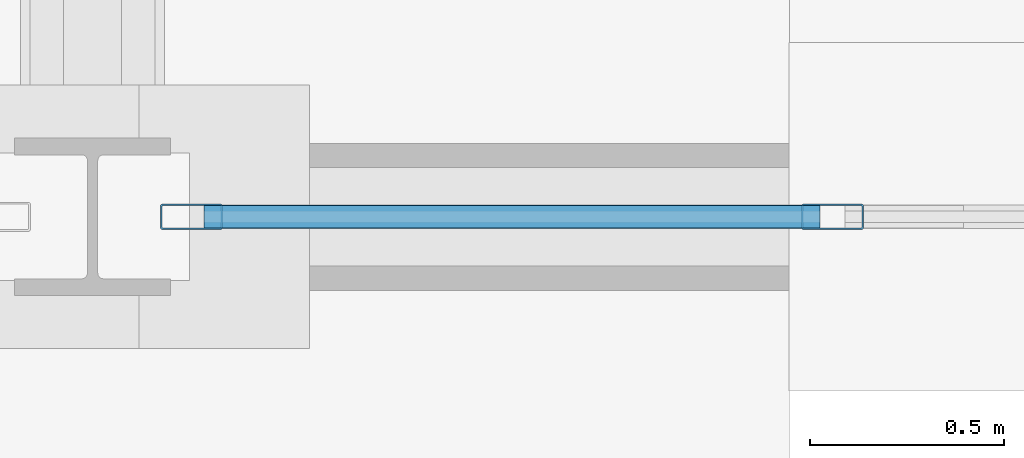
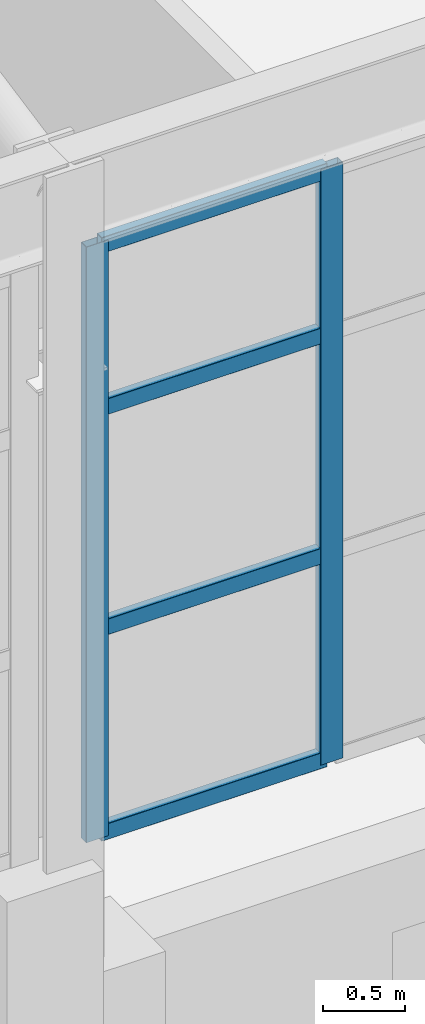
# One storey, part 173 of 293: 6 members, 1 element without a shape of its own.
"""IFC4 building model written with IfcOpenShell, lengths in metres."""

from ifc_helpers import new_model, si_unit, direction, frame, origin, origin_2d, place, context, subcontext, project, spatial, hollow_rectangle, extrude, material, layer, layer_set, material_profile, profile_set, type_object, element, aggregate, save


model = new_model("IFC4")

# Units and contexts
model_context = context("Model", 3, precision=1e-05, world=origin(), true_north=direction((0.0, 1.0)))
body_context = subcontext(model_context, "Body", "Model", "MODEL_VIEW")
ifc_project = project(units=[si_unit("LENGTHUNIT", "METRE"), si_unit("AREAUNIT", "SQUARE_METRE"), si_unit("VOLUMEUNIT", "CUBIC_METRE"), si_unit("PLANEANGLEUNIT", "RADIAN"), si_unit("MASSUNIT", "GRAM", prefix="KILO")], contexts=[model_context])

# Site, building, storey
site_placement = place(None, origin())
site = spatial("IfcSite", under=ifc_project, at=site_placement, CompositionType="ELEMENT")
building_placement = place(site_placement, origin())
building = spatial("IfcBuilding", under=site, at=building_placement, Name="Kemerveld Promenade Tramway Depot", CompositionType="ELEMENT")
storey_placement = place(building_placement, origin())
storey = spatial("IfcBuildingStorey", under=building, at=storey_placement, Name="L00", CompositionType="ELEMENT", Elevation=0.0)

# Curtain wall, members
ifc_material_1 = material(Name="Bronze anodised aluminium and solar glass", Category="aluminium")
ifc_layer = layer(ifc_material_1, 0.159912109375)
ifc_layer_set = layer_set([ifc_layer], Name="CW-SYS-09")
curtain_wall_type = type_object("IfcCurtainWallType", Name="CW-SYS-09", PredefinedType="USERDEFINED", material=ifc_layer_set)
curtain_wall_placement = place(storey_placement, origin())
curtain_wall = element("IfcCurtainWall", 1, at=curtain_wall_placement, inside=storey, type_object=curtain_wall_type, Name="CW-V1-S-20", ObjectType="GLAZED_CURTAIN_WALL", PredefinedType="USERDEFINED")
ifc_material_2 = material(Name="Bronze anodised aluminium", Category="aluminium")
ifc_material_profile_1 = material_profile(ifc_material_2, hollow_rectangle(XDim=0.06494140625, YDim=0.159912109375, WallThickness=0.00390625, InnerFilletRadius=0.001953125, OuterFilletRadius=0.00390625, at=origin_2d()), Name="CW-MUL-160x65")
ifc_profile_set_1 = profile_set([ifc_material_profile_1], Name="Bronze anodised aluminium")
member_type_1 = type_object("IfcMemberType", Name="CW-MUL-A", PredefinedType="MULLION", material=ifc_profile_set_1)
member_1_placement = place(storey_placement, frame((174.711669921875, 84.0, 6.199951171875), z_axis=(0.0, 0.0, 1.0), x_axis=(0.0, -1.0, 0.0)))
member_1 = element("IfcMember", 2, at=member_1_placement, type_object=member_type_1, Name="CW09 mullion 4", PredefinedType="MULLION", context=body_context, shape_type="SweptSolid", body=[
    extrude(hollow_rectangle(XDim=0.06494140625, YDim=0.159912109375, WallThickness=0.00390625, InnerFilletRadius=0.001953125, OuterFilletRadius=0.00390625, at=origin_2d()), origin(), (0.0, 0.0, 1.0), 4.449951171875),
])
member_2_placement = place(storey_placement, frame((173.0556640625, 84.0, 6.199951171875), z_axis=(0.0, 0.0, 1.0), x_axis=(0.0, -1.0, 0.0)))
member_2 = element("IfcMember", 3, at=member_2_placement, type_object=member_type_1, Name="CW09 mullion 5", PredefinedType="MULLION", context=body_context, shape_type="SweptSolid", body=[
    extrude(hollow_rectangle(XDim=0.06494140625, YDim=0.159912109375, WallThickness=0.00390625, InnerFilletRadius=0.001953125, OuterFilletRadius=0.00390625, at=origin_2d()), origin(), (0.0, 0.0, 1.0), 4.449951171875),
])
ifc_material_profile_2 = material_profile(ifc_material_2, hollow_rectangle(XDim=0.06005859375, YDim=0.1201171875, WallThickness=0.00390625, InnerFilletRadius=0.001953125, OuterFilletRadius=0.00390625, at=origin_2d()), Name="CW-TRN-120x60")
ifc_profile_set_2 = profile_set([ifc_material_profile_2], Name="Bronze anodised aluminium")
member_type_2 = type_object("IfcMemberType", Name="CW-TRN-A", PredefinedType="USERDEFINED", material=ifc_profile_set_2)
member_3_placement = place(storey_placement, frame((174.67919921875, 84.0, 6.22998046875), z_axis=(-1.0, 0.0, 0.0), x_axis=(0.0, -1.0, 0.0)))
member_3 = element("IfcMember", 4, at=member_3_placement, type_object=member_type_2, Name="CW09 transom 4.1", ObjectType="TRANSOM", PredefinedType="USERDEFINED", context=body_context, shape_type="SweptSolid", body=[
    extrude(hollow_rectangle(XDim=0.06005859375, YDim=0.1201171875, WallThickness=0.00390625, InnerFilletRadius=0.001953125, OuterFilletRadius=0.00390625, at=origin_2d()), origin(), (0.0, 0.0, 1.0), 1.591064453125),
])
member_4_placement = place(storey_placement, frame((174.67919921875, 84.0, 7.758056640625), z_axis=(-1.0, 0.0, 0.0), x_axis=(0.0, -1.0, 0.0)))
member_4 = element("IfcMember", 5, at=member_4_placement, type_object=member_type_2, Name="CW09 transom 4.2", ObjectType="TRANSOM", PredefinedType="USERDEFINED", context=body_context, shape_type="SweptSolid", body=[
    extrude(hollow_rectangle(XDim=0.06005859375, YDim=0.1201171875, WallThickness=0.00390625, InnerFilletRadius=0.001953125, OuterFilletRadius=0.00390625, at=origin_2d()), origin(), (0.0, 0.0, 1.0), 1.591064453125),
])
member_5_placement = place(storey_placement, frame((174.67919921875, 84.0, 9.404052734375), z_axis=(-1.0, 0.0, 0.0), x_axis=(0.0, -1.0, 0.0)))
member_5 = element("IfcMember", 6, at=member_5_placement, type_object=member_type_2, Name="CW09 transom 4.3", ObjectType="TRANSOM", PredefinedType="USERDEFINED", context=body_context, shape_type="SweptSolid", body=[
    extrude(hollow_rectangle(XDim=0.06005859375, YDim=0.1201171875, WallThickness=0.00390625, InnerFilletRadius=0.001953125, OuterFilletRadius=0.00390625, at=origin_2d()), origin(), (0.0, 0.0, 1.0), 1.591064453125),
])
member_6_placement = place(storey_placement, frame((174.67919921875, 84.0, 10.6201171875), z_axis=(-1.0, 0.0, 0.0), x_axis=(0.0, -1.0, 0.0)))
member_6 = element("IfcMember", 7, at=member_6_placement, type_object=member_type_2, Name="CW09 transom 4.4", ObjectType="TRANSOM", PredefinedType="USERDEFINED", context=body_context, shape_type="SweptSolid", body=[
    extrude(hollow_rectangle(XDim=0.06005859375, YDim=0.1201171875, WallThickness=0.00390625, InnerFilletRadius=0.001953125, OuterFilletRadius=0.00390625, at=origin_2d()), origin(), (0.0, 0.0, 1.0), 1.591064453125),
])
aggregate(curtain_wall, [member_1, member_2, member_3, member_4, member_5, member_6])

save(model, "model.ifc")
